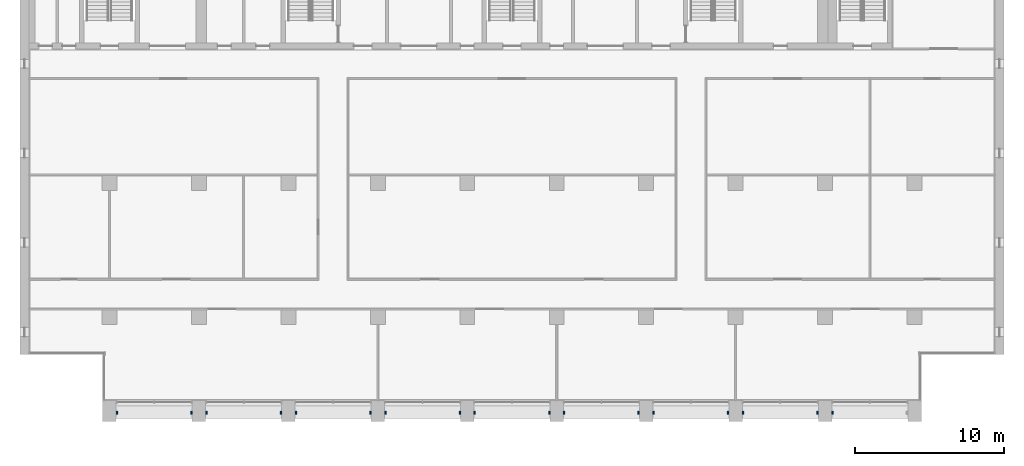
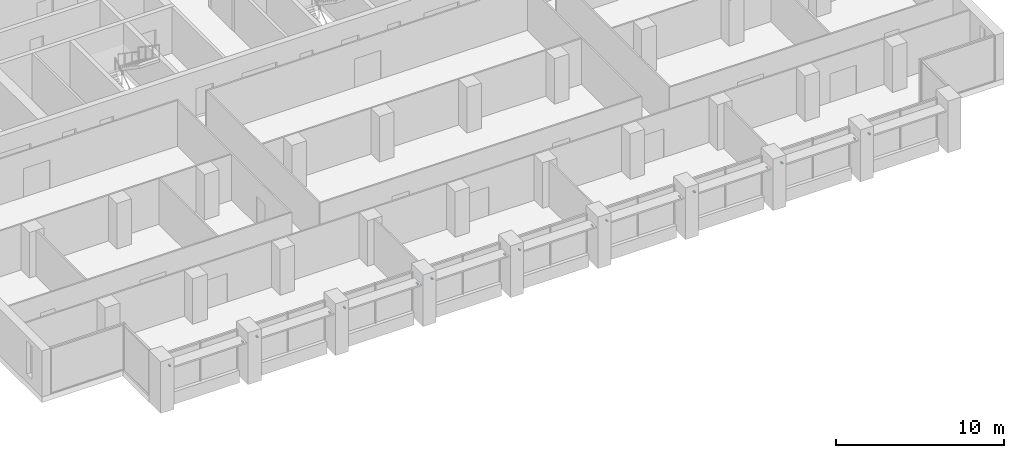
# One storey, part 14 of 17: 17 discrete accessories.
"""IFC4 building model written with IfcOpenShell, lengths in metres."""

from ifc_helpers import new_model, si_unit, direction, frame, origin, origin_2d, place, context, subcontext, project, spatial, rectangle, extrude, element, save


model = new_model("IFC4")

# Units and contexts
model_context = context("Model", 3, precision=1e-05, world=origin(), true_north=direction((0.0, 1.0)))
body_context = subcontext(model_context, "Body", "Model", "MODEL_VIEW")
ifc_project = project(units=[si_unit("LENGTHUNIT", "METRE"), si_unit("AREAUNIT", "SQUARE_METRE"), si_unit("VOLUMEUNIT", "CUBIC_METRE"), si_unit("PLANEANGLEUNIT", "RADIAN"), si_unit("MASSUNIT", "GRAM", prefix="KILO")], contexts=[model_context])

# Site, building, storey
site_placement = place(None, origin())
site = spatial("IfcSite", under=ifc_project, at=site_placement, CompositionType="ELEMENT")
building_placement = place(site_placement, origin())
building = spatial("IfcBuilding", under=site, at=building_placement, Name="Calvaro Tower", CompositionType="ELEMENT")
storey_placement = place(building_placement, frame((0.0, 0.0, 211.75)))
storey = spatial("IfcBuildingStorey", under=building, at=storey_placement, Name="L53", CompositionType="ELEMENT", Elevation=211.75)

# Discrete accessories
for number, where, z_axis, x_axis, name in (
    (1, (12.5, 3.60009765625, 2.349853515625), (0.0, 0.0, 1.0), (1.0, 0.0, 0.0), "Brise-soleil bracket"),
    (2, (17.5, 3.60009765625, 2.349853515625), (0.0, 0.0, 1.0), (1.0, 0.0, 0.0), "Brise-soleil bracket"),
    (3, (18.5, 3.60009765625, 2.349853515625), (0.0, 0.0, 1.0), (1.0, 0.0, 0.0), "Brise-soleil bracket"),
    (4, (23.5, 3.60009765625, 2.349853515625), (0.0, 0.0, 1.0), (1.0, 0.0, 0.0), "Brise-soleil bracket"),
    (5, (24.5, 3.60009765625, 2.349853515625), (0.0, 0.0, 1.0), (1.0, 0.0, 0.0), "Brise-soleil bracket"),
    (6, (29.5, 3.60009765625, 2.349853515625), (0.0, 0.0, 1.0), (1.0, 0.0, 0.0), "Brise-soleil bracket"),
    (7, (30.5, 3.60009765625, 2.349853515625), (0.0, 0.0, 1.0), (1.0, 0.0, 0.0), "Brise-soleil bracket"),
    (8, (35.5, 3.60009765625, 2.349853515625), (0.0, 0.0, 1.0), (1.0, 0.0, 0.0), "Brise-soleil bracket"),
    (9, (36.5, 3.60009765625, 2.349853515625), (0.0, 0.0, 1.0), (1.0, 0.0, 0.0), "Brise-soleil bracket"),
    (10, (41.5, 3.60009765625, 2.349853515625), (0.0, 0.0, 1.0), (1.0, 0.0, 0.0), "Brise-soleil bracket"),
    (11, (42.5, 3.60009765625, 2.349853515625), (0.0, 0.0, 1.0), (1.0, 0.0, 0.0), "Brise-soleil bracket"),
    (12, (47.5, 3.60009765625, 2.349853515625), (0.0, 0.0, 1.0), (1.0, 0.0, 0.0), "Brise-soleil bracket"),
    (13, (48.5, 3.60009765625, 2.349853515625), (0.0, 0.0, 1.0), (1.0, 0.0, 0.0), "Brise-soleil bracket"),
    (14, (53.5, 3.60009765625, 2.349853515625), (0.0, 0.0, 1.0), (1.0, 0.0, 0.0), "Brise-soleil bracket"),
    (15, (54.5, 3.60009765625, 2.349853515625), (0.0, 0.0, 1.0), (1.0, 0.0, 0.0), "Brise-soleil bracket"),
    (16, (59.5, 3.60009765625, 2.349853515625), (0.0, 0.0, 1.0), (1.0, 0.0, 0.0), "Brise-soleil bracket"),
    (17, (60.5, 3.60009765625, 2.349853515625), (0.0, 0.0, 1.0), (1.0, 0.0, 0.0), "Brise-soleil bracket"),
):
    element("IfcDiscreteAccessory", number, at=place(storey_placement, frame(where, z_axis=z_axis, x_axis=x_axis)), inside=storey, Name=name, PredefinedType="BRACKET", context=body_context, shape_type="SweptSolid", body=[
        extrude(rectangle(XDim=0.10009765625, YDim=0.199951171875, at=origin_2d()), origin(), (0.0, 0.0, 1.0), 0.10009765625),
    ])

save(model, "model.ifc")
